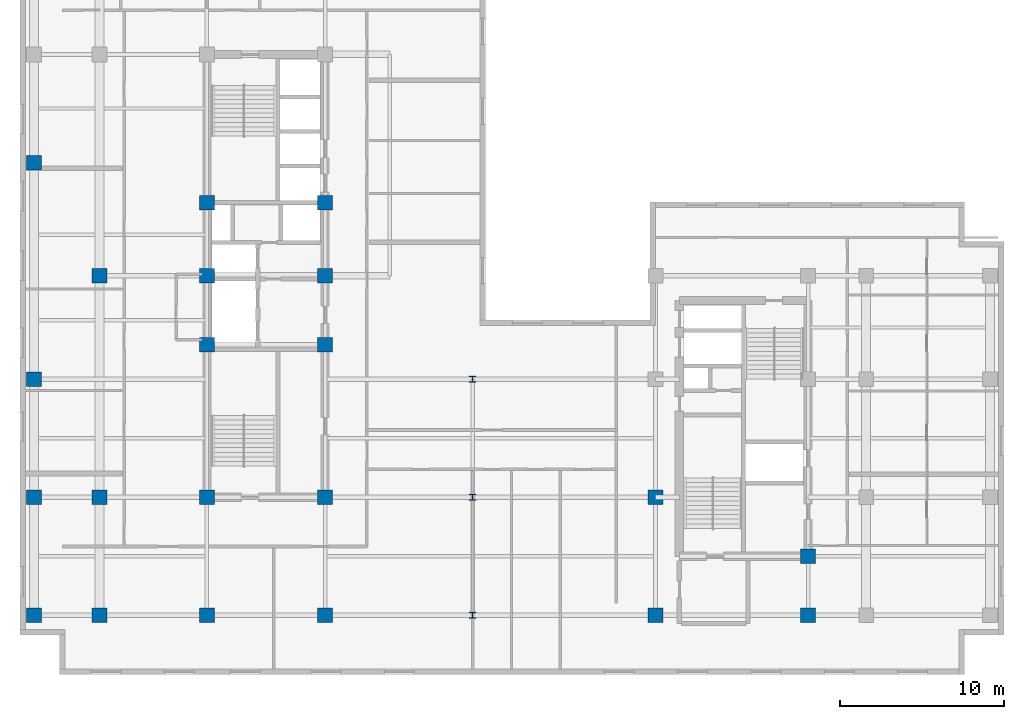
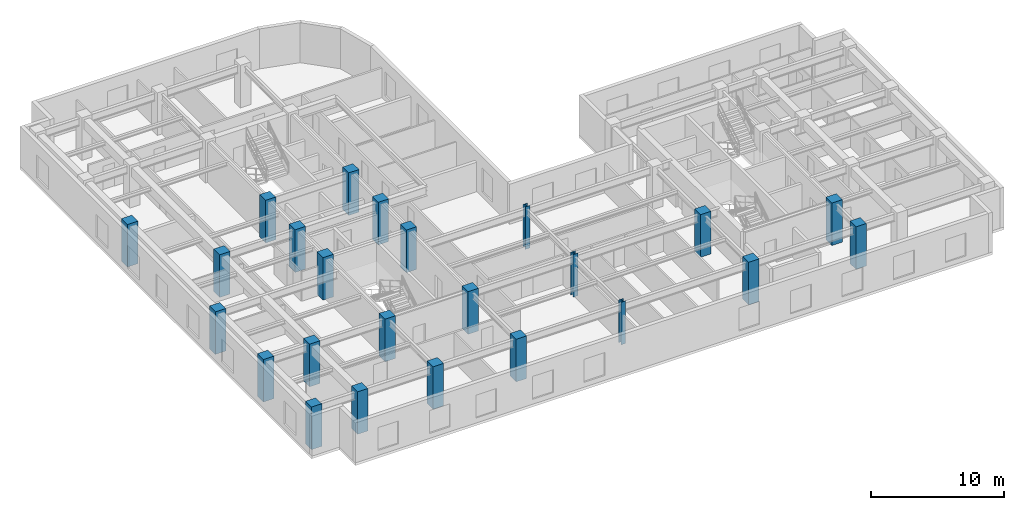
# One storey, part 1 of 11: 24 columns.
"""IFC4 building model written with IfcOpenShell, lengths in metres."""

from ifc_helpers import new_model, entity, si_unit, converted_unit, direction, frame, origin_with_axes, origin_2d_with_axis, place, context, subcontext, project, spatial, rectangle, i_section, extrude, material, material_profile, profile_set, type_object, element, save


model = new_model("IFC4")

# Units and contexts
model_context = context("Model", 3, precision=1e-05, world=origin_with_axes(), true_north=direction((0.0, 1.0)))
body_context = subcontext(model_context, "Body", "Model", "MODEL_VIEW")
ifc_project = project(units=[si_unit("LENGTHUNIT", "METRE"), si_unit("AREAUNIT", "SQUARE_METRE"), si_unit("VOLUMEUNIT", "CUBIC_METRE"), converted_unit("PLANEANGLEUNIT", "DEGREE", entity("IfcPlaneAngleMeasure", 0.017453292519943295), si_unit("PLANEANGLEUNIT", "RADIAN"), dimensions=[0, 0, 0, 0, 0, 0, 0]), si_unit("MASSUNIT", "GRAM", prefix="KILO"), si_unit("THERMODYNAMICTEMPERATUREUNIT", "KELVIN")], contexts=[model_context])

# Site, building, storey
site_placement = place(None, origin_with_axes())
site = spatial("IfcSite", under=ifc_project, at=site_placement, CompositionType="ELEMENT")
building_placement = place(site_placement, origin_with_axes())
building = spatial("IfcBuilding", under=site, at=building_placement, Name="Varnlund Millrace Tower", CompositionType="ELEMENT")
storey_placement = place(building_placement, frame((0.0, 0.0, 196.5), z_axis=(0.0, 0.0, 1.0), x_axis=(1.0, 0.0, 0.0)))
storey = spatial("IfcBuildingStorey", under=building, at=storey_placement, Name="L48", CompositionType="ELEMENT", Elevation=196.5)

# Columns
ifc_material_1 = material(Name="Steel ASTM A992 Grade 50", Category="steel")
ifc_material_profile_1 = material_profile(ifc_material_1, i_section(OverallWidth=0.394, OverallDepth=0.375, WebThickness=0.0173, FlangeThickness=0.0277, FilletRadius=0.02, at=origin_2d_with_axis()), Name="Steel ASTM A992 Grade 50")
ifc_profile_set_1 = profile_set([ifc_material_profile_1], Name="Steel ASTM A992 Grade 50")
column_type_1 = type_object("IfcColumnType", Name="Type-Col-Int-W14X145", PredefinedType="COLUMN", material=ifc_profile_set_1)
for number, where, z_axis, x_axis, name in (
    (1, (27.6, 3.6, 0.0), (0.0, 0.0, 1.0), (1.0, 0.0, 0.0), "Type-Col-Int-W14X145"),
    (2, (27.6, 10.8, 0.0), (0.0, 0.0, 1.0), (1.0, 0.0, 0.0), "Type-Col-Int-W14X145"),
    (3, (27.6, 18.0, 0.0), (0.0, 0.0, 1.0), (1.0, 0.0, 0.0), "Type-Col-Int-W14X145"),
):
    element("IfcColumn", number, at=place(storey_placement, frame(where, z_axis=z_axis, x_axis=x_axis)), inside=storey, type_object=column_type_1, Name=name, PredefinedType="COLUMN", context=body_context, shape_type="SweptSolid", body=[
        extrude(i_section(OverallWidth=0.394, OverallDepth=0.375, WebThickness=0.0173, FlangeThickness=0.0277, FilletRadius=0.02, at=origin_2d_with_axis()), origin_with_axes(), (0.0, 0.0, 1.0), 3.9),
    ])
ifc_material_2 = material(Name="Concrete C70/85", Category="concrete")
ifc_material_profile_2 = material_profile(ifc_material_2, rectangle(XDim=0.9, YDim=0.9, at=origin_2d_with_axis()), Name="Concrete C70/85")
ifc_profile_set_2 = profile_set([ifc_material_profile_2], Name="Concrete C70/85")
column_type_2 = type_object("IfcColumnType", Name="Type-Col-RC900-C70", PredefinedType="COLUMN", material=ifc_profile_set_2)
for number, where, z_axis, x_axis, name in (
    (4, (11.4, 3.6, 0.0), (0.0, 0.0, 1.0), (1.0, 0.0, 0.0), "Type-Col-RC900-C70"),
    (5, (11.4, 10.8, 0.0), (0.0, 0.0, 1.0), (1.0, 0.0, 0.0), "Type-Col-RC900-C70"),
    (6, (11.4, 20.1, 0.0), (0.0, 0.0, 1.0), (1.0, 0.0, 0.0), "Type-Col-RC900-C70"),
    (7, (11.4, 24.3, 0.0), (0.0, 0.0, 1.0), (1.0, 0.0, 0.0), "Type-Col-RC900-C70"),
    (8, (11.4, 28.75, 0.0), (0.0, 0.0, 1.0), (1.0, 0.0, 0.0), "Type-Col-RC900-C70"),
    (9, (18.6, 3.6, 0.0), (0.0, 0.0, 1.0), (1.0, 0.0, 0.0), "Type-Col-RC900-C70"),
    (10, (18.6, 10.8, 0.0), (0.0, 0.0, 1.0), (1.0, 0.0, 0.0), "Type-Col-RC900-C70"),
    (11, (18.6, 20.1, 0.0), (0.0, 0.0, 1.0), (1.0, 0.0, 0.0), "Type-Col-RC900-C70"),
    (12, (18.6, 24.3, 0.0), (0.0, 0.0, 1.0), (1.0, 0.0, 0.0), "Type-Col-RC900-C70"),
    (13, (18.6, 28.75, 0.0), (0.0, 0.0, 1.0), (1.0, 0.0, 0.0), "Type-Col-RC900-C70"),
    (14, (4.85, 3.6, 0.0), (0.0, 0.0, 1.0), (1.0, 0.0, 0.0), "Type-Col-RC900-C70"),
    (15, (4.85, 10.8, 0.0), (0.0, 0.0, 1.0), (1.0, 0.0, 0.0), "Type-Col-RC900-C70"),
    (16, (4.85, 24.3, 0.0), (0.0, 0.0, 1.0), (1.0, 0.0, 0.0), "Type-Col-RC900-C70"),
    (17, (0.85, 3.6, 0.0), (0.0, 0.0, 1.0), (1.0, 0.0, 0.0), "Type-Col-RC900-C70"),
    (18, (0.85, 10.8, 0.0), (0.0, 0.0, 1.0), (1.0, 0.0, 0.0), "Type-Col-RC900-C70"),
    (19, (0.85, 18.0, 0.0), (0.0, 0.0, 1.0), (1.0, 0.0, 0.0), "Type-Col-RC900-C70"),
    (20, (0.85, 31.2, 0.0), (0.0, 0.0, 1.0), (1.0, 0.0, 0.0), "Type-Col-RC900-C70"),
    (21, (38.75, 3.6, 0.0), (0.0, 0.0, 1.0), (1.0, 0.0, 0.0), "Type-Col-RC900-C70"),
    (22, (38.75, 10.8, 0.0), (0.0, 0.0, 1.0), (1.0, 0.0, 0.0), "Type-Col-RC900-C70"),
    (23, (48.05, 3.6, 0.0), (0.0, 0.0, 1.0), (1.0, 0.0, 0.0), "Type-Col-RC900-C70"),
    (24, (48.05, 7.2, 0.0), (0.0, 0.0, 1.0), (1.0, 0.0, 0.0), "Type-Col-RC900-C70"),
):
    element("IfcColumn", number, at=place(storey_placement, frame(where, z_axis=z_axis, x_axis=x_axis)), inside=storey, type_object=column_type_2, Name=name, PredefinedType="COLUMN", context=body_context, shape_type="SweptSolid", body=[
        extrude(rectangle(XDim=0.9, YDim=0.9, at=origin_2d_with_axis()), origin_with_axes(), (0.0, 0.0, 1.0), 3.9),
    ])

save(model, "model.ifc")
